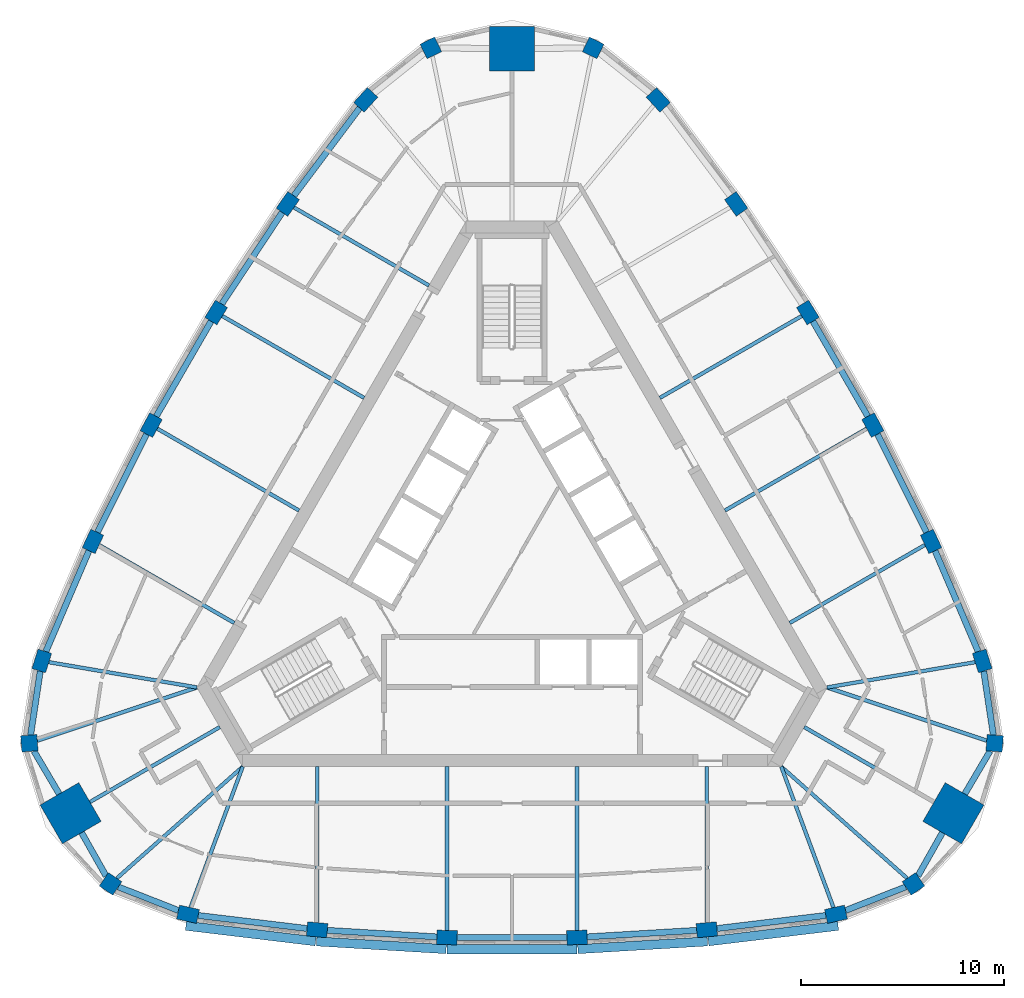
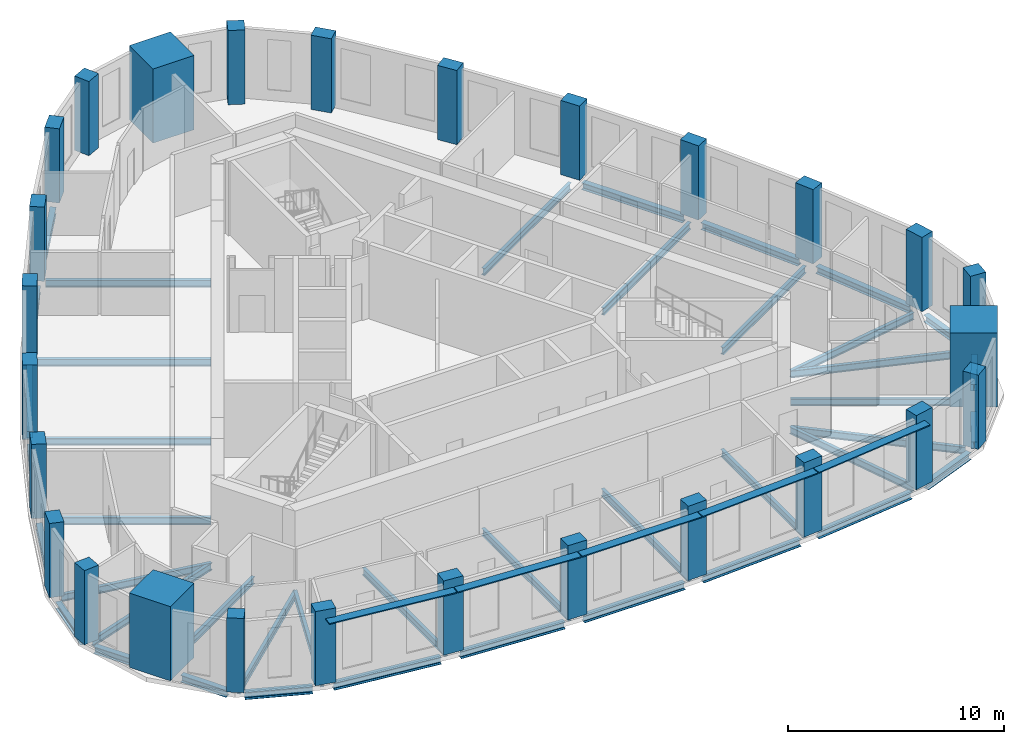
# One storey, part 1 of 10: 42 beams, 27 columns, 5 members.
"""IFC4 building model written with IfcOpenShell, lengths in metres."""

from ifc_helpers import new_model, si_unit, direction, frame, origin, origin_2d, place, context, subcontext, project, spatial, rectangle, i_section, extrude, material, material_profile, profile_set, type_object, element, save


model = new_model("IFC4")

# Units and contexts
model_context = context("Model", 3, precision=1e-05, world=origin(), true_north=direction((0.0, 1.0)))
body_context = subcontext(model_context, "Body", "Model", "MODEL_VIEW")
ifc_project = project(units=[si_unit("LENGTHUNIT", "METRE"), si_unit("AREAUNIT", "SQUARE_METRE"), si_unit("VOLUMEUNIT", "CUBIC_METRE"), si_unit("PLANEANGLEUNIT", "RADIAN"), si_unit("MASSUNIT", "GRAM", prefix="KILO")], contexts=[model_context])

# Site, building, storey
site_placement = place(None, origin())
site = spatial("IfcSite", under=ifc_project, at=site_placement, CompositionType="ELEMENT")
building_placement = place(site_placement, origin())
building = spatial("IfcBuilding", under=site, at=building_placement, Name="Mestral Congress Tower", CompositionType="ELEMENT")
storey_placement = place(building_placement, frame((0.0, 0.0, 313.199951171875)))
storey = spatial("IfcBuildingStorey", under=building, at=storey_placement, Name="L73", CompositionType="ELEMENT", Elevation=313.199951171875)

# Columns
ifc_material_1 = material(Name="Concrete C60/75", Category="concrete")
ifc_material_profile_1 = material_profile(ifc_material_1, rectangle(XDim=1.0, YDim=0.699951171875, at=origin_2d()), Name="RC 1000x700")
ifc_profile_set_1 = profile_set([ifc_material_profile_1], Name="Concrete C60/75")
column_type_1 = type_object("IfcColumnType", Name="Column RC 1000x700 C60/75", PredefinedType="COLUMN", material=ifc_profile_set_1)
for number, where, z_axis, x_axis, name in (
    (1, (-15.940673828125, -17.511962890625, 0.0), (0.0, 0.0, 1.0), (0.976233636503, -0.216720758026, 0.0), "COL-L73-C5-S00"),
    (2, (-9.587158203125, -18.273681640625, 0.0), (0.0, 0.0, 1.0), (0.995997816519, -0.089377567035, 0.0), "COL-L73-C5-S01"),
    (3, (-3.199462890625, -18.6552734375, 0.0), (0.0, 0.0, 1.0), (0.999555031657, -0.029828487872, 0.0), "COL-L73-C5-S02"),
    (4, (3.199462890625, -18.6552734375, 0.0), (0.0, 0.0, 1.0), (0.999555031657, 0.029828487872, 0.0), "COL-L73-C5-S03"),
    (5, (9.587158203125, -18.273681640625, 0.0), (0.0, 0.0, 1.0), (0.995997816519, 0.089377567035, 0.0), "COL-L73-C5-S04"),
    (6, (15.940673828125, -17.511962890625, 0.0), (0.0, 0.0, 1.0), (0.976233636503, 0.216720758026, 0.0), "COL-L73-C5-S05"),
    (7, (23.135986328125, -5.049072265625, 0.0), (0.0, 0.0, 1.0), (-0.300431136274, 0.953803508254, 0.0), "COL-L73-C5-E00"),
    (8, (20.618896484375, 0.833984375, 0.0), (0.0, 0.0, 1.0), (-0.420595664679, 0.907248194737, 0.0), "COL-L73-C5-E01"),
    (9, (17.755615234375, 6.556640625, 0.0), (0.0, 0.0, 1.0), (-0.473945287575, 0.880554293832, 0.0), "COL-L73-C5-E02"),
    (10, (14.55615234375, 12.098388671875, 0.0), (0.0, 0.0, 1.0), (-0.525609744083, 0.850725805959, 0.0), "COL-L73-C5-E03"),
    (11, (11.031982421875, 17.439697265625, 0.0), (0.0, 0.0, 1.0), (-0.57540215184, 0.817870627702, 0.0), "COL-L73-C5-E04"),
    (12, (7.1953125, 22.56103515625, 0.0), (0.0, 0.0, 1.0), (-0.67580250023, 0.737082750228, 0.0), "COL-L73-C5-E05"),
    (13, (-7.1953125, 22.56103515625, 0.0), (0.0, 0.0, 1.0), (-0.67580250023, -0.737082750228, 0.0), "COL-L73-C5-W00"),
    (14, (-11.031982421875, 17.439697265625, 0.0), (0.0, 0.0, 1.0), (-0.57540215184, -0.817870627702, 0.0), "COL-L73-C5-W01"),
    (15, (-14.55615234375, 12.098388671875, 0.0), (0.0, 0.0, 1.0), (-0.525609744083, -0.850725805959, 0.0), "COL-L73-C5-W02"),
    (16, (-17.755615234375, 6.556640625, 0.0), (0.0, 0.0, 1.0), (-0.473945287575, -0.880554293832, 0.0), "COL-L73-C5-W03"),
    (17, (-20.618896484375, 0.833984375, 0.0), (0.0, 0.0, 1.0), (-0.420595664679, -0.907248194737, 0.0), "COL-L73-C5-W04"),
    (18, (-23.135986328125, -5.049072265625, 0.0), (0.0, 0.0, 1.0), (-0.300431136274, -0.953803508254, 0.0), "COL-L73-C5-W05"),
):
    element("IfcColumn", number, at=place(storey_placement, frame(where, z_axis=z_axis, x_axis=x_axis)), inside=storey, type_object=column_type_1, Name=name, PredefinedType="COLUMN", context=body_context, shape_type="SweptSolid", body=[
        extrude(rectangle(XDim=1.0, YDim=0.699951171875, at=origin_2d()), origin(), (0.0, 0.0, 1.0), 4.199951171875),
    ])
ifc_material_profile_2 = material_profile(ifc_material_1, rectangle(XDim=0.800048828125, YDim=0.800048828125, at=origin_2d()), Name="RC 800x800")
ifc_profile_set_2 = profile_set([ifc_material_profile_2], Name="Concrete C60/75")
column_type_2 = type_object("IfcColumnType", Name="Column RC 800x800 C60/75", PredefinedType="COLUMN", material=ifc_profile_set_2)
for number, where, z_axis, x_axis, name in (
    (19, (19.75439453125, -16.0166015625, 0.0), (0.0, 0.0, 1.0), (0.826362775296, 0.563138139008, 0.0), "COL-L73-C5-SE1"),
    (20, (23.748046875, -9.099609375, 0.0), (0.0, 0.0, 1.0), (0.074510546573, 0.997220225652, 0.0), "COL-L73-C5-SE3"),
    (21, (3.993408203125, 25.1162109375, 0.0), (0.0, 0.0, 1.0), (-0.900873321869, 0.434082086644, 0.0), "COL-L73-C5-N1"),
    (22, (-3.993408203125, 25.1162109375, 0.0), (0.0, 0.0, 1.0), (-0.900873321869, -0.434082086644, 0.0), "COL-L73-C5-N3"),
    (23, (-23.748046875, -9.099609375, 0.0), (0.0, 0.0, 1.0), (0.074510546573, -0.997220225652, 0.0), "COL-L73-C5-SW1"),
    (24, (-19.75439453125, -16.0166015625, 0.0), (0.0, 0.0, 1.0), (0.826362775296, -0.563138139008, 0.0), "COL-L73-C5-SW3"),
):
    element("IfcColumn", number, at=place(storey_placement, frame(where, z_axis=z_axis, x_axis=x_axis)), inside=storey, type_object=column_type_2, Name=name, PredefinedType="COLUMN", context=body_context, shape_type="SweptSolid", body=[
        extrude(rectangle(XDim=0.800048828125, YDim=0.800048828125, at=origin_2d()), origin(), (0.0, 0.0, 1.0), 4.199951171875),
    ])
ifc_material_profile_3 = material_profile(ifc_material_1, rectangle(XDim=2.199951171875, YDim=2.199951171875, at=origin_2d()), Name="RC 2200x2200")
ifc_profile_set_3 = profile_set([ifc_material_profile_3], Name="Concrete C60/75")
column_type_3 = type_object("IfcColumnType", Name="Mega column RC 2200x2200 C60/75", PredefinedType="COLUMN", material=ifc_profile_set_3)
for number, where, z_axis, x_axis, name in (
    (25, (21.71826171875, -12.5390625, 0.0), (0.0, 0.0, 1.0), (0.866025403784, -0.5, 0.0), "COL-L73-PY5-SE"),
    (26, (0.0, 25.078125, 0.0), (0.0, 0.0, 1.0), (0.0, 1.0, 0.0), "COL-L73-PY5-N"),
    (27, (-21.71826171875, -12.5390625, 0.0), (0.0, 0.0, 1.0), (-0.866025403784, -0.5, 0.0), "COL-L73-PY5-SW"),
):
    element("IfcColumn", number, at=place(storey_placement, frame(where, z_axis=z_axis, x_axis=x_axis)), inside=storey, type_object=column_type_3, Name=name, PredefinedType="COLUMN", context=body_context, shape_type="SweptSolid", body=[
        extrude(rectangle(XDim=2.199951171875, YDim=2.199951171875, at=origin_2d()), origin(), (0.0, 0.0, 1.0), 4.199951171875),
    ])

# Members
ifc_material_2 = material(Name="Glazed ceramic", Category="masonry")
ifc_material_profile_4 = material_profile(ifc_material_2, rectangle(XDim=0.449951171875, YDim=0.06005859375, at=origin_2d()), Name="Ceramic blade 450 x 60")
ifc_profile_set_4 = profile_set([ifc_material_profile_4], Name="Glazed ceramic")
member_type = type_object("IfcMemberType", Name="Facade sunshade blade 450 x 60", PredefinedType="USERDEFINED", material=ifc_profile_set_4)
member_1_placement = place(storey_placement, frame((-16.04638671875, -18.078369140625, 3.679931640625), z_axis=(0.992890306953, -0.119032929725, 0.0), x_axis=(0.119032929725, 0.992890306953, 0.0)))
element("IfcMember", 28, at=member_1_placement, inside=storey, type_object=member_type, Name="Sunshade F0-00", ObjectType="SUNSHADE", PredefinedType="USERDEFINED", context=body_context, shape_type="SweptSolid", body=[
    extrude(rectangle(XDim=0.449951171875, YDim=0.06005859375, at=origin_2d()), origin(), (0.0, 0.0, 1.0), 6.429931640625),
])
member_2_placement = place(storey_placement, frame((-9.614990234375, -18.84814453125, 3.679931640625), z_axis=(0.998222174469, -0.059602771735, 0.0), x_axis=(0.059602771735, 0.998222174469, 0.0)))
element("IfcMember", 29, at=member_2_placement, inside=storey, type_object=member_type, Name="Sunshade F0-01", ObjectType="SUNSHADE", PredefinedType="USERDEFINED", context=body_context, shape_type="SweptSolid", body=[
    extrude(rectangle(XDim=0.449951171875, YDim=0.06005859375, at=origin_2d()), origin(), (0.0, 0.0, 1.0), 6.385986328125),
])
member_3_placement = place(storey_placement, frame((-3.193115234375, -19.230224609375, 3.679931640625), z_axis=(1.0, 0.0, 0.0), x_axis=(0.0, 1.0, 0.0)))
element("IfcMember", 30, at=member_3_placement, inside=storey, type_object=member_type, Name="Sunshade F0-02", ObjectType="SUNSHADE", PredefinedType="USERDEFINED", context=body_context, shape_type="SweptSolid", body=[
    extrude(rectangle(XDim=0.449951171875, YDim=0.06005859375, at=origin_2d()), origin(), (0.0, 0.0, 1.0), 6.38623046875),
])
member_4_placement = place(storey_placement, frame((3.240478515625, -19.228759765625, 3.679931640625), z_axis=(0.998222174469, 0.059602771735, 0.0), x_axis=(-0.059602771735, 0.998222174469, 0.0)))
element("IfcMember", 31, at=member_4_placement, inside=storey, type_object=member_type, Name="Sunshade F0-03", ObjectType="SUNSHADE", PredefinedType="USERDEFINED", context=body_context, shape_type="SweptSolid", body=[
    extrude(rectangle(XDim=0.449951171875, YDim=0.06005859375, at=origin_2d()), origin(), (0.0, 0.0, 1.0), 6.385986328125),
])
member_5_placement = place(storey_placement, frame((9.662109375, -18.84375, 3.679931640625), z_axis=(0.992890306953, 0.119032929725, 0.0), x_axis=(-0.119032929725, 0.992890306953, 0.0)))
element("IfcMember", 32, at=member_5_placement, inside=storey, type_object=member_type, Name="Sunshade F0-04", ObjectType="SUNSHADE", PredefinedType="USERDEFINED", context=body_context, shape_type="SweptSolid", body=[
    extrude(rectangle(XDim=0.449951171875, YDim=0.06005859375, at=origin_2d()), origin(), (0.0, 0.0, 1.0), 6.429931640625),
])

# Beams
ifc_material_3 = material(Name="Steel S355", Category="steel")
ifc_material_profile_5 = material_profile(ifc_material_3, i_section(OverallWidth=0.179931640625, OverallDepth=0.39990234375, WebThickness=0.008544921875, FlangeThickness=0.013427734375, FilletRadius=0.02099609375, at=origin_2d()), Name="IPE 400")
ifc_profile_set_5 = profile_set([ifc_material_profile_5], Name="Steel S355")
beam_type_1 = type_object("IfcBeamType", Name="Floor beam IPE 400 S355", PredefinedType="BEAM", material=ifc_profile_set_5)
beam_1_placement = place(storey_placement, frame((-15.81787109375, -17.1806640625, -0.449951171875), z_axis=(0.347399345496, 0.937717278687, 0.0), x_axis=(-0.937717278687, 0.347399345496, 0.0)))
element("IfcBeam", 33, at=beam_1_placement, inside=storey, type_object=beam_type_1, Name="BM-L73-RB5-S00", PredefinedType="BEAM", context=body_context, shape_type="SweptSolid", body=[
    extrude(i_section(OverallWidth=0.179931640625, OverallDepth=0.39990234375, WebThickness=0.008544921875, FlangeThickness=0.013427734375, FilletRadius=0.02099609375, at=origin_2d()), origin(), (0.0, 0.0, 1.0), 7.39111328125),
])
beam_2_placement = place(storey_placement, frame((-9.587158203125, -17.92236328125, -0.449951171875), z_axis=(0.0, 1.0, 0.0), x_axis=(-1.0, 0.0, 0.0)))
element("IfcBeam", 34, at=beam_2_placement, inside=storey, type_object=beam_type_1, Name="BM-L73-RB5-S01", PredefinedType="BEAM", context=body_context, shape_type="SweptSolid", body=[
    extrude(i_section(OverallWidth=0.179931640625, OverallDepth=0.39990234375, WebThickness=0.008544921875, FlangeThickness=0.013427734375, FilletRadius=0.02099609375, at=origin_2d()), origin(), (0.0, 0.0, 1.0), 7.67236328125),
])
for number, where, z_axis, x_axis, name in (
    (35, (-3.199462890625, -18.304931640625, -0.449951171875), (0.0, 1.0, 0.0), (-1.0, 0.0, 0.0), "BM-L73-RB5-S02"),
    (36, (3.199462890625, -18.304931640625, -0.449951171875), (0.0, 1.0, 0.0), (-1.0, 0.0, 0.0), "BM-L73-RB5-S03"),
):
    element("IfcBeam", number, at=place(storey_placement, frame(where, z_axis=z_axis, x_axis=x_axis)), inside=storey, type_object=beam_type_1, Name=name, PredefinedType="BEAM", context=body_context, shape_type="SweptSolid", body=[
        extrude(i_section(OverallWidth=0.179931640625, OverallDepth=0.39990234375, WebThickness=0.008544921875, FlangeThickness=0.013427734375, FilletRadius=0.02099609375, at=origin_2d()), origin(), (0.0, 0.0, 1.0), 8.054931640625),
    ])
beam_3_placement = place(storey_placement, frame((9.587158203125, -17.92236328125, -0.449951171875), z_axis=(0.0, 1.0, 0.0), x_axis=(-1.0, 0.0, 0.0)))
element("IfcBeam", 37, at=beam_3_placement, inside=storey, type_object=beam_type_1, Name="BM-L73-RB5-S04", PredefinedType="BEAM", context=body_context, shape_type="SweptSolid", body=[
    extrude(i_section(OverallWidth=0.179931640625, OverallDepth=0.39990234375, WebThickness=0.008544921875, FlangeThickness=0.013427734375, FilletRadius=0.02099609375, at=origin_2d()), origin(), (0.0, 0.0, 1.0), 7.67236328125),
])
beam_4_placement = place(storey_placement, frame((15.81787109375, -17.1806640625, -0.449951171875), z_axis=(-0.347399345496, 0.937717278687, 0.0), x_axis=(-0.937717278687, -0.347399345496, 0.0)))
element("IfcBeam", 38, at=beam_4_placement, inside=storey, type_object=beam_type_1, Name="BM-L73-RB5-S05", PredefinedType="BEAM", context=body_context, shape_type="SweptSolid", body=[
    extrude(i_section(OverallWidth=0.179931640625, OverallDepth=0.39990234375, WebThickness=0.008544921875, FlangeThickness=0.013427734375, FilletRadius=0.02099609375, at=origin_2d()), origin(), (0.0, 0.0, 1.0), 7.39111328125),
])
beam_5_placement = place(storey_placement, frame((19.44580078125, -15.742919921875, -0.449951171875), z_axis=(-0.74826277439, 0.663402457383, 0.0), x_axis=(-0.663402457383, -0.74826277439, 0.0)))
element("IfcBeam", 39, at=beam_5_placement, inside=storey, type_object=beam_type_1, Name="BM-L73-RB5-SE1", PredefinedType="BEAM", context=body_context, shape_type="SweptSolid", body=[
    extrude(i_section(OverallWidth=0.179931640625, OverallDepth=0.39990234375, WebThickness=0.008544921875, FlangeThickness=0.013427734375, FilletRadius=0.02099609375, at=origin_2d()), origin(), (0.0, 0.0, 1.0), 8.280029296875),
])
beam_6_placement = place(storey_placement, frame((20.765625, -11.989013671875, -0.449951171875), z_axis=(-0.866031296205, 0.499989793889, 0.0), x_axis=(-0.499989793889, -0.866031296205, 0.0)))
element("IfcBeam", 40, at=beam_6_placement, inside=storey, type_object=beam_type_1, Name="BM-L73-RB5-SE", PredefinedType="BEAM", context=body_context, shape_type="SweptSolid", body=[
    extrude(i_section(OverallWidth=0.179931640625, OverallDepth=0.39990234375, WebThickness=0.008544921875, FlangeThickness=0.013427734375, FilletRadius=0.02099609375, at=origin_2d()), origin(), (0.0, 0.0, 1.0), 7.378173828125),
])
beam_7_placement = place(storey_placement, frame((23.356689453125, -8.968994140625, -0.449951171875), z_axis=(-0.948659706446, 0.316298532031, 0.0), x_axis=(-0.316298532031, -0.948659706446, 0.0)))
element("IfcBeam", 41, at=beam_7_placement, inside=storey, type_object=beam_type_1, Name="BM-L73-RB5-SE3", PredefinedType="BEAM", context=body_context, shape_type="SweptSolid", body=[
    extrude(i_section(OverallWidth=0.179931640625, OverallDepth=0.39990234375, WebThickness=0.008544921875, FlangeThickness=0.013427734375, FilletRadius=0.02099609375, at=origin_2d()), origin(), (0.0, 0.0, 1.0), 8.27978515625),
])
beam_8_placement = place(storey_placement, frame((22.787841796875, -5.1083984375, -0.449951171875), z_axis=(-0.985786503242, -0.168002886958, 0.0), x_axis=(0.168002886958, -0.985786503242, 0.0)))
element("IfcBeam", 42, at=beam_8_placement, inside=storey, type_object=beam_type_1, Name="BM-L73-RB5-E00", PredefinedType="BEAM", context=body_context, shape_type="SweptSolid", body=[
    extrude(i_section(OverallWidth=0.179931640625, OverallDepth=0.39990234375, WebThickness=0.008544921875, FlangeThickness=0.013427734375, FilletRadius=0.02099609375, at=origin_2d()), origin(), (0.0, 0.0, 1.0), 7.390869140625),
])
beam_9_placement = place(storey_placement, frame((20.314697265625, 0.658447265625, -0.449951171875), z_axis=(-0.866019720907, -0.500009842903, 0.0), x_axis=(0.500009842903, -0.866019720907, 0.0)))
element("IfcBeam", 43, at=beam_9_placement, inside=storey, type_object=beam_type_1, Name="BM-L73-RB5-E01", PredefinedType="BEAM", context=body_context, shape_type="SweptSolid", body=[
    extrude(i_section(OverallWidth=0.179931640625, OverallDepth=0.39990234375, WebThickness=0.008544921875, FlangeThickness=0.013427734375, FilletRadius=0.02099609375, at=origin_2d()), origin(), (0.0, 0.0, 1.0), 7.672119140625),
])
for number, where, z_axis, x_axis, name in (
    (44, (17.452392578125, 6.381591796875, -0.449951171875), (-0.866020537834, -0.500008427979, 0.0), (0.500008427979, -0.866020537834, 0.0), "BM-L73-RB5-E02"),
    (45, (14.2529296875, 11.92333984375, -0.449951171875), (-0.866033662086, -0.499985695929, 0.0), (0.499985695929, -0.866033662086, 0.0), "BM-L73-RB5-E03"),
):
    element("IfcBeam", number, at=place(storey_placement, frame(where, z_axis=z_axis, x_axis=x_axis)), inside=storey, type_object=beam_type_1, Name=name, PredefinedType="BEAM", context=body_context, shape_type="SweptSolid", body=[
        extrude(i_section(OverallWidth=0.179931640625, OverallDepth=0.39990234375, WebThickness=0.008544921875, FlangeThickness=0.013427734375, FilletRadius=0.02099609375, at=origin_2d()), origin(), (0.0, 0.0, 1.0), 8.054931640625),
    ])
beam_10_placement = place(storey_placement, frame((-10.7275390625, 17.263916015625, -0.449951171875), z_axis=(0.866019720907, -0.500009842903, 0.0), x_axis=(0.500009842903, 0.866019720907, 0.0)))
element("IfcBeam", 46, at=beam_10_placement, inside=storey, type_object=beam_type_1, Name="BM-L73-RB5-W01", PredefinedType="BEAM", context=body_context, shape_type="SweptSolid", body=[
    extrude(i_section(OverallWidth=0.179931640625, OverallDepth=0.39990234375, WebThickness=0.008544921875, FlangeThickness=0.013427734375, FilletRadius=0.02099609375, at=origin_2d()), origin(), (0.0, 0.0, 1.0), 7.672119140625),
])
for number, where, z_axis, x_axis, name in (
    (47, (-14.2529296875, 11.92333984375, -0.449951171875), (0.866033662086, -0.499985695929, 0.0), (0.499985695929, 0.866033662086, 0.0), "BM-L73-RB5-W02"),
    (48, (-17.452392578125, 6.381591796875, -0.449951171875), (0.866020537834, -0.500008427979, 0.0), (0.500008427979, 0.866020537834, 0.0), "BM-L73-RB5-W03"),
):
    element("IfcBeam", number, at=place(storey_placement, frame(where, z_axis=z_axis, x_axis=x_axis)), inside=storey, type_object=beam_type_1, Name=name, PredefinedType="BEAM", context=body_context, shape_type="SweptSolid", body=[
        extrude(i_section(OverallWidth=0.179931640625, OverallDepth=0.39990234375, WebThickness=0.008544921875, FlangeThickness=0.013427734375, FilletRadius=0.02099609375, at=origin_2d()), origin(), (0.0, 0.0, 1.0), 8.054931640625),
    ])
beam_11_placement = place(storey_placement, frame((-20.314697265625, 0.658447265625, -0.449951171875), z_axis=(0.866019720907, -0.500009842903, 0.0), x_axis=(0.500009842903, 0.866019720907, 0.0)))
element("IfcBeam", 49, at=beam_11_placement, inside=storey, type_object=beam_type_1, Name="BM-L73-RB5-W04", PredefinedType="BEAM", context=body_context, shape_type="SweptSolid", body=[
    extrude(i_section(OverallWidth=0.179931640625, OverallDepth=0.39990234375, WebThickness=0.008544921875, FlangeThickness=0.013427734375, FilletRadius=0.02099609375, at=origin_2d()), origin(), (0.0, 0.0, 1.0), 7.672119140625),
])
beam_12_placement = place(storey_placement, frame((-22.787841796875, -5.1083984375, -0.449951171875), z_axis=(0.985786503242, -0.168002886958, 0.0), x_axis=(0.168002886958, 0.985786503242, 0.0)))
element("IfcBeam", 50, at=beam_12_placement, inside=storey, type_object=beam_type_1, Name="BM-L73-RB5-W05", PredefinedType="BEAM", context=body_context, shape_type="SweptSolid", body=[
    extrude(i_section(OverallWidth=0.179931640625, OverallDepth=0.39990234375, WebThickness=0.008544921875, FlangeThickness=0.013427734375, FilletRadius=0.02099609375, at=origin_2d()), origin(), (0.0, 0.0, 1.0), 7.390869140625),
])
beam_13_placement = place(storey_placement, frame((-23.356689453125, -8.968994140625, -0.449951171875), z_axis=(0.948659706446, 0.316298532031, 0.0), x_axis=(-0.316298532031, 0.948659706446, 0.0)))
element("IfcBeam", 51, at=beam_13_placement, inside=storey, type_object=beam_type_1, Name="BM-L73-RB5-SW1", PredefinedType="BEAM", context=body_context, shape_type="SweptSolid", body=[
    extrude(i_section(OverallWidth=0.179931640625, OverallDepth=0.39990234375, WebThickness=0.008544921875, FlangeThickness=0.013427734375, FilletRadius=0.02099609375, at=origin_2d()), origin(), (0.0, 0.0, 1.0), 8.27978515625),
])
beam_14_placement = place(storey_placement, frame((-20.765625, -11.989013671875, -0.449951171875), z_axis=(0.866031296205, 0.499989793889, 0.0), x_axis=(-0.499989793889, 0.866031296205, 0.0)))
element("IfcBeam", 52, at=beam_14_placement, inside=storey, type_object=beam_type_1, Name="BM-L73-RB5-SW", PredefinedType="BEAM", context=body_context, shape_type="SweptSolid", body=[
    extrude(i_section(OverallWidth=0.179931640625, OverallDepth=0.39990234375, WebThickness=0.008544921875, FlangeThickness=0.013427734375, FilletRadius=0.02099609375, at=origin_2d()), origin(), (0.0, 0.0, 1.0), 7.378173828125),
])
beam_15_placement = place(storey_placement, frame((-19.44580078125, -15.742919921875, -0.449951171875), z_axis=(0.74826277439, 0.663402457383, 0.0), x_axis=(-0.663402457383, 0.74826277439, 0.0)))
element("IfcBeam", 53, at=beam_15_placement, inside=storey, type_object=beam_type_1, Name="BM-L73-RB5-SW3", PredefinedType="BEAM", context=body_context, shape_type="SweptSolid", body=[
    extrude(i_section(OverallWidth=0.179931640625, OverallDepth=0.39990234375, WebThickness=0.008544921875, FlangeThickness=0.013427734375, FilletRadius=0.02099609375, at=origin_2d()), origin(), (0.0, 0.0, 1.0), 8.280029296875),
])
ifc_material_profile_6 = material_profile(ifc_material_3, i_section(OverallWidth=0.300048828125, OverallDepth=0.389892578125, WebThickness=0.010986328125, FlangeThickness=0.01904296875, FilletRadius=0.027099609375, at=origin_2d()), Name="HEA 400")
ifc_profile_set_6 = profile_set([ifc_material_profile_6], Name="Steel S355")
beam_type_2 = type_object("IfcBeamType", Name="Spandrel beam HEA 400 S355", PredefinedType="BEAM", material=ifc_profile_set_6)
beam_16_placement = place(storey_placement, frame((-15.44189453125, -17.57177734375, -0.445068359375), z_axis=(0.992890319222, -0.119032827389, 0.0), x_axis=(0.119032827389, 0.992890319222, 0.0)))
element("IfcBeam", 54, at=beam_16_placement, inside=storey, type_object=beam_type_2, Name="SP-L73-SB5-S00", PredefinedType="BEAM", context=body_context, shape_type="SweptSolid", body=[
    extrude(i_section(OverallWidth=0.300048828125, OverallDepth=0.389892578125, WebThickness=0.010986328125, FlangeThickness=0.01904296875, FilletRadius=0.027099609375, at=origin_2d()), origin(), (0.0, 0.0, 1.0), 5.396240234375),
])
beam_17_placement = place(storey_placement, frame((-9.087890625, -18.303466796875, -0.445068359375), z_axis=(0.998219522722, -0.059647166371, 0.0), x_axis=(0.059647166371, 0.998219522722, 0.0)))
element("IfcBeam", 55, at=beam_17_placement, inside=storey, type_object=beam_type_2, Name="SP-L73-SB5-S01", PredefinedType="BEAM", context=body_context, shape_type="SweptSolid", body=[
    extrude(i_section(OverallWidth=0.300048828125, OverallDepth=0.389892578125, WebThickness=0.010986328125, FlangeThickness=0.01904296875, FilletRadius=0.027099609375, at=origin_2d()), origin(), (0.0, 0.0, 1.0), 5.398681640625),
])
beam_18_placement = place(storey_placement, frame((-2.69921875, -18.6552734375, -0.445068359375), z_axis=(1.0, 0.0, 0.0), x_axis=(0.0, 1.0, 0.0)))
element("IfcBeam", 56, at=beam_18_placement, inside=storey, type_object=beam_type_2, Name="SP-L73-SB5-S02", PredefinedType="BEAM", context=body_context, shape_type="SweptSolid", body=[
    extrude(i_section(OverallWidth=0.300048828125, OverallDepth=0.389892578125, WebThickness=0.010986328125, FlangeThickness=0.01904296875, FilletRadius=0.027099609375, at=origin_2d()), origin(), (0.0, 0.0, 1.0), 5.3984375),
])
beam_19_placement = place(storey_placement, frame((3.69873046875, -18.62548828125, -0.445068359375), z_axis=(0.998219522722, 0.059647166371, 0.0), x_axis=(-0.059647166371, 0.998219522722, 0.0)))
element("IfcBeam", 57, at=beam_19_placement, inside=storey, type_object=beam_type_2, Name="SP-L73-SB5-S03", PredefinedType="BEAM", context=body_context, shape_type="SweptSolid", body=[
    extrude(i_section(OverallWidth=0.300048828125, OverallDepth=0.389892578125, WebThickness=0.010986328125, FlangeThickness=0.01904296875, FilletRadius=0.027099609375, at=origin_2d()), origin(), (0.0, 0.0, 1.0), 5.398681640625),
])
beam_20_placement = place(storey_placement, frame((10.083984375, -18.214111328125, -0.445068359375), z_axis=(0.992890319222, 0.119032827389, 0.0), x_axis=(-0.119032827389, 0.992890319222, 0.0)))
element("IfcBeam", 58, at=beam_20_placement, inside=storey, type_object=beam_type_2, Name="SP-L73-SB5-S04", PredefinedType="BEAM", context=body_context, shape_type="SweptSolid", body=[
    extrude(i_section(OverallWidth=0.300048828125, OverallDepth=0.389892578125, WebThickness=0.010986328125, FlangeThickness=0.01904296875, FilletRadius=0.027099609375, at=origin_2d()), origin(), (0.0, 0.0, 1.0), 5.396240234375),
])
beam_21_placement = place(storey_placement, frame((16.411865234375, -17.3271484375, -0.445068359375), z_axis=(0.930980873283, 0.365067957485, 0.0), x_axis=(-0.365067957485, 0.930980873283, 0.0)))
element("IfcBeam", 59, at=beam_21_placement, inside=storey, type_object=beam_type_2, Name="SP-L73-SB5-S05", PredefinedType="BEAM", context=body_context, shape_type="SweptSolid", body=[
    extrude(i_section(OverallWidth=0.300048828125, OverallDepth=0.389892578125, WebThickness=0.010986328125, FlangeThickness=0.01904296875, FilletRadius=0.027099609375, at=origin_2d()), origin(), (0.0, 0.0, 1.0), 3.179931640625),
])
beam_22_placement = place(storey_placement, frame((19.9736328125, -15.628173828125, -0.445068359375), z_axis=(0.491728558518, 0.870748542771, 0.0), x_axis=(-0.870748542771, 0.491728558518, 0.0)))
element("IfcBeam", 60, at=beam_22_placement, inside=storey, type_object=beam_type_2, Name="SP-L73-SB5-SE1", PredefinedType="BEAM", context=body_context, shape_type="SweptSolid", body=[
    extrude(i_section(OverallWidth=0.300048828125, OverallDepth=0.389892578125, WebThickness=0.010986328125, FlangeThickness=0.01904296875, FilletRadius=0.027099609375, at=origin_2d()), origin(), (0.0, 0.0, 1.0), 2.44775390625),
])
beam_23_placement = place(storey_placement, frame((22.27734375, -11.591552734375, -0.445068359375), z_axis=(0.508218412694, 0.861228218882, 0.0), x_axis=(-0.861228218882, 0.508218412694, 0.0)))
element("IfcBeam", 61, at=beam_23_placement, inside=storey, type_object=beam_type_2, Name="SP-L73-SB5-SE", PredefinedType="BEAM", context=body_context, shape_type="SweptSolid", body=[
    extrude(i_section(OverallWidth=0.300048828125, OverallDepth=0.389892578125, WebThickness=0.010986328125, FlangeThickness=0.01904296875, FilletRadius=0.027099609375, at=origin_2d()), origin(), (0.0, 0.0, 1.0), 2.447509765625),
])
beam_24_placement = place(storey_placement, frame((23.686767578125, -8.69384765625, -0.445068359375), z_axis=(-0.149402818736, 0.98877641444, 0.0), x_axis=(-0.98877641444, -0.149402818736, 0.0)))
element("IfcBeam", 62, at=beam_24_placement, inside=storey, type_object=beam_type_2, Name="SP-L73-SB5-SE3", PredefinedType="BEAM", context=body_context, shape_type="SweptSolid", body=[
    extrude(i_section(OverallWidth=0.300048828125, OverallDepth=0.389892578125, WebThickness=0.010986328125, FlangeThickness=0.01904296875, FilletRadius=0.027099609375, at=origin_2d()), origin(), (0.0, 0.0, 1.0), 3.179931640625),
])
beam_25_placement = place(storey_placement, frame((22.9384765625, -4.587158203125, -0.445068359375), z_axis=(-0.393367759324, 0.919381208164, 0.0), x_axis=(-0.919381208164, -0.393367759324, 0.0)))
element("IfcBeam", 63, at=beam_25_placement, inside=storey, type_object=beam_type_2, Name="SP-L73-SB5-E00", PredefinedType="BEAM", context=body_context, shape_type="SweptSolid", body=[
    extrude(i_section(OverallWidth=0.300048828125, OverallDepth=0.389892578125, WebThickness=0.010986328125, FlangeThickness=0.01904296875, FilletRadius=0.027099609375, at=origin_2d()), origin(), (0.0, 0.0, 1.0), 5.396484375),
])
beam_26_placement = place(storey_placement, frame((20.395263671875, 1.281494140625, -0.445068359375), z_axis=(-0.44748491494, 0.894291479832, 0.0), x_axis=(-0.894291479832, -0.44748491494, 0.0)))
element("IfcBeam", 64, at=beam_26_placement, inside=storey, type_object=beam_type_2, Name="SP-L73-SB5-E01", PredefinedType="BEAM", context=body_context, shape_type="SweptSolid", body=[
    extrude(i_section(OverallWidth=0.300048828125, OverallDepth=0.389892578125, WebThickness=0.010986328125, FlangeThickness=0.01904296875, FilletRadius=0.027099609375, at=origin_2d()), origin(), (0.0, 0.0, 1.0), 5.3984375),
])
beam_27_placement = place(storey_placement, frame((17.505615234375, 6.989990234375, -0.445068359375), z_axis=(-0.500025177812, 0.86601086688, 0.0), x_axis=(-0.86601086688, -0.500025177812, 0.0)))
element("IfcBeam", 65, at=beam_27_placement, inside=storey, type_object=beam_type_2, Name="SP-L73-SB5-E02", PredefinedType="BEAM", context=body_context, shape_type="SweptSolid", body=[
    extrude(i_section(OverallWidth=0.300048828125, OverallDepth=0.389892578125, WebThickness=0.010986328125, FlangeThickness=0.01904296875, FilletRadius=0.027099609375, at=origin_2d()), origin(), (0.0, 0.0, 1.0), 5.398681640625),
])
beam_28_placement = place(storey_placement, frame((-7.49658203125, 22.158935546875, -0.445068359375), z_axis=(-0.599529393236, -0.800352738888, 0.0), x_axis=(0.800352738888, -0.599529393236, 0.0)))
element("IfcBeam", 66, at=beam_28_placement, inside=storey, type_object=beam_type_2, Name="SP-L73-SB5-W00", PredefinedType="BEAM", context=body_context, shape_type="SweptSolid", body=[
    extrude(i_section(OverallWidth=0.300048828125, OverallDepth=0.389892578125, WebThickness=0.010986328125, FlangeThickness=0.01904296875, FilletRadius=0.027099609375, at=origin_2d()), origin(), (0.0, 0.0, 1.0), 5.396484375),
])
beam_29_placement = place(storey_placement, frame((-11.307373046875, 17.02197265625, -0.445068359375), z_axis=(-0.550748957655, -0.83467094453, 0.0), x_axis=(0.83467094453, -0.550748957655, 0.0)))
element("IfcBeam", 67, at=beam_29_placement, inside=storey, type_object=beam_type_2, Name="SP-L73-SB5-W01", PredefinedType="BEAM", context=body_context, shape_type="SweptSolid", body=[
    extrude(i_section(OverallWidth=0.300048828125, OverallDepth=0.389892578125, WebThickness=0.010986328125, FlangeThickness=0.01904296875, FilletRadius=0.027099609375, at=origin_2d()), origin(), (0.0, 0.0, 1.0), 5.3984375),
])
beam_30_placement = place(storey_placement, frame((-14.80615234375, 11.665283203125, -0.445068359375), z_axis=(-0.500025177812, -0.86601086688, 0.0), x_axis=(0.86601086688, -0.500025177812, 0.0)))
element("IfcBeam", 68, at=beam_30_placement, inside=storey, type_object=beam_type_2, Name="SP-L73-SB5-W02", PredefinedType="BEAM", context=body_context, shape_type="SweptSolid", body=[
    extrude(i_section(OverallWidth=0.300048828125, OverallDepth=0.389892578125, WebThickness=0.010986328125, FlangeThickness=0.01904296875, FilletRadius=0.027099609375, at=origin_2d()), origin(), (0.0, 0.0, 1.0), 5.398681640625),
])
beam_31_placement = place(storey_placement, frame((-17.9794921875, 6.109375, -0.445068359375), z_axis=(-0.44748491494, -0.894291479832, 0.0), x_axis=(0.894291479832, -0.44748491494, 0.0)))
element("IfcBeam", 69, at=beam_31_placement, inside=storey, type_object=beam_type_2, Name="SP-L73-SB5-W03", PredefinedType="BEAM", context=body_context, shape_type="SweptSolid", body=[
    extrude(i_section(OverallWidth=0.300048828125, OverallDepth=0.389892578125, WebThickness=0.010986328125, FlangeThickness=0.01904296875, FilletRadius=0.027099609375, at=origin_2d()), origin(), (0.0, 0.0, 1.0), 5.3984375),
])
beam_32_placement = place(storey_placement, frame((-20.815673828125, 0.374267578125, -0.445068359375), z_axis=(-0.393367759324, -0.919381208164, 0.0), x_axis=(0.919381208164, -0.393367759324, 0.0)))
element("IfcBeam", 70, at=beam_32_placement, inside=storey, type_object=beam_type_2, Name="SP-L73-SB5-W04", PredefinedType="BEAM", context=body_context, shape_type="SweptSolid", body=[
    extrude(i_section(OverallWidth=0.300048828125, OverallDepth=0.389892578125, WebThickness=0.010986328125, FlangeThickness=0.01904296875, FilletRadius=0.027099609375, at=origin_2d()), origin(), (0.0, 0.0, 1.0), 5.396484375),
])
beam_33_placement = place(storey_placement, frame((-23.211669921875, -5.549560546875, -0.445068359375), z_axis=(-0.149402818736, -0.98877641444, 0.0), x_axis=(0.98877641444, -0.149402818736, 0.0)))
element("IfcBeam", 71, at=beam_33_placement, inside=storey, type_object=beam_type_2, Name="SP-L73-SB5-W05", PredefinedType="BEAM", context=body_context, shape_type="SweptSolid", body=[
    extrude(i_section(OverallWidth=0.300048828125, OverallDepth=0.389892578125, WebThickness=0.010986328125, FlangeThickness=0.01904296875, FilletRadius=0.027099609375, at=origin_2d()), origin(), (0.0, 0.0, 1.0), 3.179931640625),
])
beam_34_placement = place(storey_placement, frame((-23.521240234375, -9.483642578125, -0.445068359375), z_axis=(0.508218412694, -0.861228218882, 0.0), x_axis=(0.861228218882, 0.508218412694, 0.0)))
element("IfcBeam", 72, at=beam_34_placement, inside=storey, type_object=beam_type_2, Name="SP-L73-SB5-SW1", PredefinedType="BEAM", context=body_context, shape_type="SweptSolid", body=[
    extrude(i_section(OverallWidth=0.300048828125, OverallDepth=0.389892578125, WebThickness=0.010986328125, FlangeThickness=0.01904296875, FilletRadius=0.027099609375, at=origin_2d()), origin(), (0.0, 0.0, 1.0), 2.447509765625),
])
beam_35_placement = place(storey_placement, frame((-21.17724609375, -13.496826171875, -0.445068359375), z_axis=(0.491728558518, -0.870748542771, 0.0), x_axis=(0.870748542771, 0.491728558518, 0.0)))
element("IfcBeam", 73, at=beam_35_placement, inside=storey, type_object=beam_type_2, Name="SP-L73-SB5-SW", PredefinedType="BEAM", context=body_context, shape_type="SweptSolid", body=[
    extrude(i_section(OverallWidth=0.300048828125, OverallDepth=0.389892578125, WebThickness=0.010986328125, FlangeThickness=0.01904296875, FilletRadius=0.027099609375, at=origin_2d()), origin(), (0.0, 0.0, 1.0), 2.44775390625),
])
beam_36_placement = place(storey_placement, frame((-19.372314453125, -16.166259765625, -0.445068359375), z_axis=(0.930980873283, -0.365067957485, 0.0), x_axis=(0.365067957485, 0.930980873283, 0.0)))
element("IfcBeam", 74, at=beam_36_placement, inside=storey, type_object=beam_type_2, Name="SP-L73-SB5-SW3", PredefinedType="BEAM", context=body_context, shape_type="SweptSolid", body=[
    extrude(i_section(OverallWidth=0.300048828125, OverallDepth=0.389892578125, WebThickness=0.010986328125, FlangeThickness=0.01904296875, FilletRadius=0.027099609375, at=origin_2d()), origin(), (0.0, 0.0, 1.0), 3.179931640625),
])

save(model, "model.ifc")
